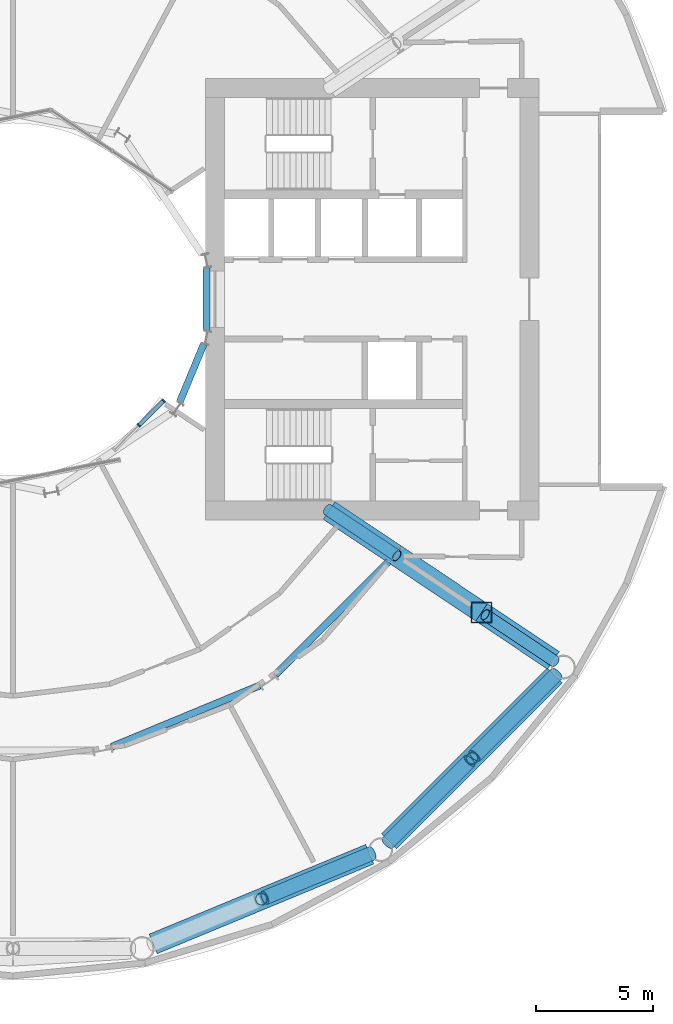
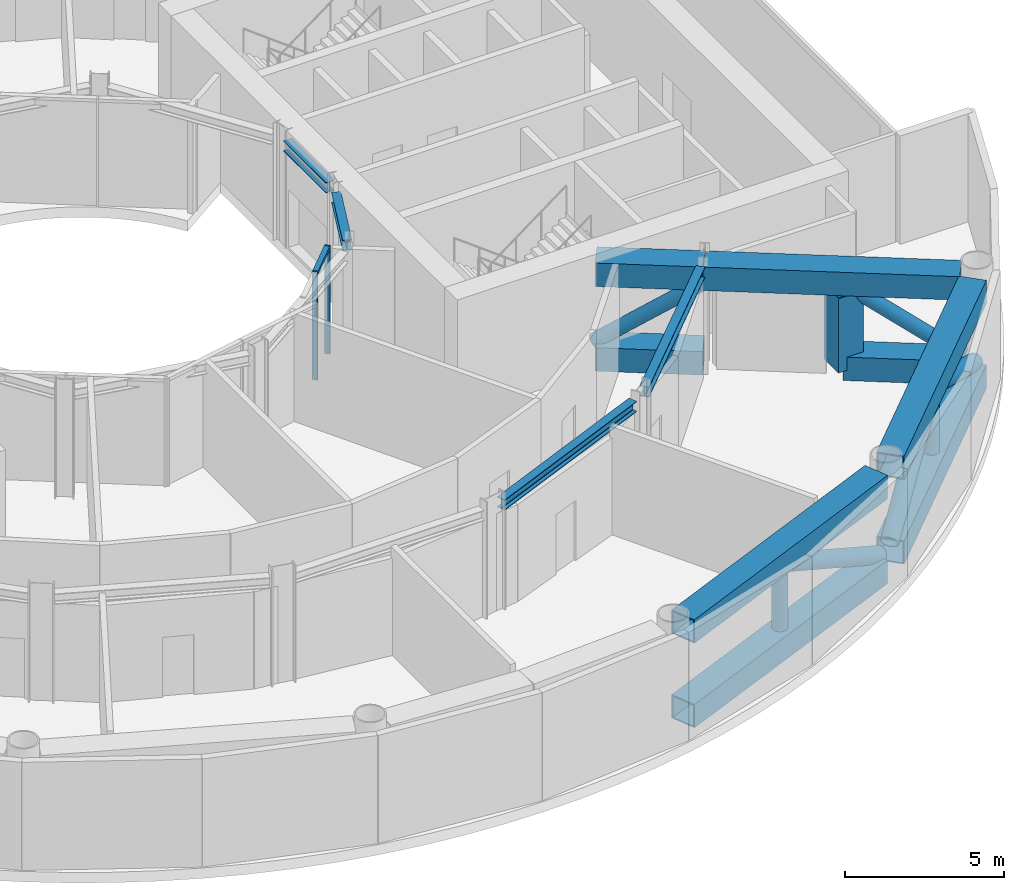
# One storey, part 5 of 15: 12 beams, 11 members, 1 element without a shape of its own.
"""IFC4 building model written with IfcOpenShell, lengths in metres."""

from ifc_helpers import new_model, si_unit, direction, frame, origin, origin_2d, place, context, subcontext, project, spatial, rectangle, hollow_rectangle, hollow_circle, i_section, extrude, material, layer, layer_set, material_profile, profile_set, type_object, element, aggregate, save


model = new_model("IFC4")

# Units and contexts
model_context = context("Model", 3, precision=1e-05, world=origin(), true_north=direction((0.0, 1.0)))
body_context = subcontext(model_context, "Body", "Model", "MODEL_VIEW")
ifc_project = project(units=[si_unit("LENGTHUNIT", "METRE"), si_unit("AREAUNIT", "SQUARE_METRE"), si_unit("VOLUMEUNIT", "CUBIC_METRE"), si_unit("PLANEANGLEUNIT", "RADIAN"), si_unit("MASSUNIT", "GRAM", prefix="KILO")], contexts=[model_context])

# Site, building, storey
site_placement = place(None, origin())
site = spatial("IfcSite", under=ifc_project, at=site_placement, CompositionType="ELEMENT")
building_placement = place(site_placement, origin())
building = spatial("IfcBuilding", under=site, at=building_placement, Name="Maasbend Ring Residences", CompositionType="ELEMENT")
storey_placement = place(building_placement, frame((0.0, 0.0, 18.300048828125)))
storey = spatial("IfcBuildingStorey", under=building, at=storey_placement, Name="L04", CompositionType="ELEMENT", Elevation=18.300048828125)

# Beams
ifc_material_1 = material(Name="Steel S460M", Category="steel")
ifc_material_profile_1 = material_profile(ifc_material_1, hollow_rectangle(XDim=0.89990234375, YDim=0.89990234375, WallThickness=0.044921875, at=origin_2d()), Name="Belt truss chord BX 900x900x45")
ifc_profile_set_1 = profile_set([ifc_material_profile_1], Name="Steel S460M")
beam_type_1 = type_object("IfcBeamType", Name="Belt truss chord BX 900x900x45", PredefinedType="BEAM", material=ifc_profile_set_1)
for number, where, z_axis, x_axis, name in (
    (1, (5.970703125, -27.463623046875, 0.449951171875), (0.923886337442, 0.382667003395, 0.0), (-0.382667003395, 0.923886337442, 0.0), "Belt truss"),
    (2, (5.970703125, -27.463623046875, 3.699951171875), (0.923886337442, 0.382667003395, 0.0), (-0.382667003395, 0.923886337442, 0.0), "Belt truss"),
):
    element("IfcBeam", number, at=place(storey_placement, frame(where, z_axis=z_axis, x_axis=x_axis)), inside=storey, type_object=beam_type_1, Name=name, PredefinedType="BEAM", context=body_context, shape_type="SweptSolid", body=[
        extrude(hollow_rectangle(XDim=0.89990234375, YDim=0.89990234375, WallThickness=0.044921875, at=origin_2d()), origin(), (0.0, 0.0, 1.0), 9.9873046875),
    ])
for number, where, z_axis, x_axis, name in (
    (3, (16.0263671875, -23.088134765625, 0.449951171875), (0.707106781187, 0.707106781187, 0.0), (-0.707106781187, 0.707106781187, 0.0), "Belt truss"),
    (4, (16.0263671875, -23.088134765625, 3.699951171875), (0.707106781187, 0.707106781187, 0.0), (-0.707106781187, 0.707106781187, 0.0), "Belt truss"),
):
    element("IfcBeam", number, at=place(storey_placement, frame(where, z_axis=z_axis, x_axis=x_axis)), inside=storey, type_object=beam_type_1, Name=name, PredefinedType="BEAM", context=body_context, shape_type="SweptSolid", body=[
        extrude(hollow_rectangle(XDim=0.89990234375, YDim=0.89990234375, WallThickness=0.044921875, at=origin_2d()), origin(), (0.0, 0.0, 1.0), 9.98681640625),
    ])

# Members
ifc_material_2 = material(Name="Steel S460NH", Category="steel")
ifc_material_profile_2 = material_profile(ifc_material_2, hollow_circle(Radius=0.304931640625, WallThickness=0.02490234375, at=origin_2d()), Name="Belt truss diagonal CHS 610x25")
ifc_profile_set_2 = profile_set([ifc_material_profile_2], Name="Steel S460NH")
member_type_1 = type_object("IfcMemberType", Name="Belt truss diagonal CHS 610x25", PredefinedType="BRACE", material=ifc_profile_set_2)
for number, where, z_axis, x_axis, name in (
    (5, (10.725830078125, -25.494140625, 3.300048828125), (0.827714428739, 0.342833747825, -0.444245254122), (-0.38266743189, 0.923886159963, 0.0), "Belt truss diagonal"),
    (6, (15.955078125, -23.159423828125, 0.849853515625), (0.633496351585, 0.633496351585, 0.444257521103), (-0.707106781187, 0.707106781187, 0.0), "Belt truss diagonal"),
    (7, (19.66552734375, -19.448974609375, 3.300048828125), (0.633496351585, 0.633496351585, -0.444257521103), (-0.707106781187, 0.707106781187, 0.0), "Belt truss diagonal"),
):
    element("IfcMember", number, at=place(storey_placement, frame(where, z_axis=z_axis, x_axis=x_axis)), inside=storey, type_object=member_type_1, Name=name, PredefinedType="BRACE", context=body_context, shape_type="SweptSolid", body=[
        extrude(hollow_circle(Radius=0.304931640625, WallThickness=0.02490234375, at=origin_2d()), origin(), (0.0, 0.0, 1.0), 5.515380859375),
    ])
ifc_material_3 = material(Name="Steel S460NH", Category="steel")
ifc_material_profile_3 = material_profile(ifc_material_3, hollow_circle(Radius=0.25390625, WallThickness=0.01611328125, at=origin_2d()), Name="Belt truss post CHS 508x16")
ifc_profile_set_3 = profile_set([ifc_material_profile_3], Name="Steel S460NH")
member_type_2 = type_object("IfcMemberType", Name="Belt truss post CHS 508x16", PredefinedType="POST", material=ifc_profile_set_3)
for number, where, z_axis, x_axis, name in (
    (8, (10.584228515625, -25.552734375, 0.89990234375), (0.0, 0.0, 1.0), (1.0, 0.0, 0.0), "Belt truss post"),
    (9, (19.55712890625, -19.55712890625, 0.89990234375), (0.0, 0.0, 1.0), (1.0, 0.0, 0.0), "Belt truss post"),
):
    element("IfcMember", number, at=place(storey_placement, frame(where, z_axis=z_axis, x_axis=x_axis)), inside=storey, type_object=member_type_2, Name=name, PredefinedType="POST", context=body_context, shape_type="SweptSolid", body=[
        extrude(hollow_circle(Radius=0.25390625, WallThickness=0.01611328125, at=origin_2d()), origin(), (0.0, 0.0, 1.0), 2.35009765625),
    ])

# Curtain wall, members
ifc_material_4 = material(Name="Aluminium and clear glass", Category="aluminium")
ifc_layer = layer(ifc_material_4, 0.179931640625)
ifc_layer_set = layer_set([ifc_layer], Name="CW-W")
curtain_wall_type = type_object("IfcCurtainWallType", Name="CW-W", PredefinedType="NOTDEFINED", material=ifc_layer_set)
curtain_wall_placement = place(storey_placement, origin())
curtain_wall = element("IfcCurtainWall", 10, at=curtain_wall_placement, inside=storey, type_object=curtain_wall_type, Name="Well curtain wall S3", PredefinedType="NOTDEFINED")
ifc_material_5 = material(Name="Aluminium 6063-T6", Category="aluminium")
ifc_material_profile_4 = material_profile(ifc_material_5, rectangle(XDim=0.179931640625, YDim=0.06005859375, at=origin_2d()), Name="AL 180x60")
ifc_profile_set_4 = profile_set([ifc_material_profile_4], Name="Aluminium 6063-T6")
member_type_3 = type_object("IfcMemberType", Name="CWM-W", PredefinedType="MULLION", material=ifc_profile_set_4)
member_1_placement = place(storey_placement, frame((5.366943359375, -5.366943359375, 0.0), z_axis=(0.0, 0.0, 1.0), x_axis=(-0.707106781187, 0.707106781187, 0.0)))
member_1 = element("IfcMember", 11, at=member_1_placement, type_object=member_type_3, Name="Mullion well face", PredefinedType="MULLION", context=body_context, shape_type="SweptSolid", body=[
    extrude(rectangle(XDim=0.179931640625, YDim=0.06005859375, at=origin_2d()), origin(), (0.0, 0.0, 1.0), 4.14990234375),
])
member_2_placement = place(storey_placement, frame((6.413330078125, -4.320556640625, 0.0), z_axis=(0.0, 0.0, 1.0), x_axis=(-0.707106781187, 0.707106781187, 0.0)))
member_2 = element("IfcMember", 12, at=member_2_placement, type_object=member_type_3, Name="Mullion well face", PredefinedType="MULLION", context=body_context, shape_type="SweptSolid", body=[
    extrude(rectangle(XDim=0.179931640625, YDim=0.06005859375, at=origin_2d()), origin(), (0.0, 0.0, 1.0), 4.14990234375),
])
ifc_material_6 = material(Name="Aluminium 6063-T6", Category="aluminium")
ifc_material_profile_5 = material_profile(ifc_material_6, rectangle(XDim=0.179931640625, YDim=0.1201171875, at=origin_2d()), Name="AL 180x120")
ifc_profile_set_5 = profile_set([ifc_material_profile_5], Name="Aluminium 6063-T6")
member_type_4 = type_object("IfcMemberType", Name="CWT-W", PredefinedType="USERDEFINED", material=ifc_profile_set_5)
member_3_placement = place(storey_placement, frame((5.38818359375, -5.345703125, 4.08984375), z_axis=(0.707106781187, 0.707106781187, 0.0), x_axis=(-0.707106781187, 0.707106781187, 0.0)))
member_3 = element("IfcMember", 13, at=member_3_placement, type_object=member_type_4, Name="Transom well face", ObjectType="TRANSOM", PredefinedType="USERDEFINED", context=body_context, shape_type="SweptSolid", body=[
    extrude(rectangle(XDim=0.179931640625, YDim=0.1201171875, at=origin_2d()), origin(), (0.0, 0.0, 1.0), 1.419677734375),
])
aggregate(curtain_wall, [member_1, member_2, member_3])

# Beams
ifc_material_7 = material(Name="Steel S355J2", Category="steel")
ifc_material_profile_6 = material_profile(ifc_material_7, i_section(OverallWidth=0.300048828125, OverallDepth=0.39990234375, WebThickness=0.013427734375, FlangeThickness=0.02392578125, FilletRadius=0.027099609375, at=origin_2d()), Name="HEB 400")
ifc_profile_set_6 = profile_set([ifc_material_profile_6], Name="Steel S355J2")
beam_type_2 = type_object("IfcBeamType", Name="Corridor ring beam HEB 400", PredefinedType="BEAM", material=ifc_profile_set_6)
for number, where, z_axis, x_axis, name in (
    (14, (4.207275390625, -19.064697265625, 3.949951171875), (0.92387061516, 0.382704960046, 0.0), (-0.382704960046, 0.92387061516, 0.0), "Corridor ring beam"),
    (15, (11.1826171875, -16.00341796875, 3.949951171875), (0.707106781187, 0.707106781187, 0.0), (-0.707106781187, 0.707106781187, 0.0), "Corridor ring beam"),
):
    element("IfcBeam", number, at=place(storey_placement, frame(where, z_axis=z_axis, x_axis=x_axis)), inside=storey, type_object=beam_type_2, Name=name, PredefinedType="BEAM", context=body_context, shape_type="SweptSolid", body=[
        extrude(i_section(OverallWidth=0.300048828125, OverallDepth=0.39990234375, WebThickness=0.013427734375, FlangeThickness=0.02392578125, FilletRadius=0.027099609375, at=origin_2d()), origin(), (0.0, 0.0, 1.0), 6.817626953125),
    ])
ifc_material_8 = material(Name="Steel S460M", Category="steel")
ifc_material_profile_7 = material_profile(ifc_material_8, hollow_rectangle(XDim=0.89990234375, YDim=0.89990234375, WallThickness=0.044921875, at=origin_2d()), Name="Outrigger truss chord BX 900x900x45")
ifc_profile_set_7 = profile_set([ifc_material_profile_7], Name="Steel S460M")
beam_type_3 = type_object("IfcBeamType", Name="Outrigger truss chord BX 900x900x45", PredefinedType="BEAM", material=ifc_profile_set_7)
beam_1_placement = place(storey_placement, frame((23.02490234375, -15.385009765625, 0.449951171875), z_axis=(-0.83143805452, 0.555617459676, 0.0), x_axis=(-0.555617459676, -0.83143805452, 0.0)))
element("IfcBeam", 16, at=beam_1_placement, inside=storey, type_object=beam_type_3, Name="Outrigger truss", PredefinedType="BEAM", context=body_context, shape_type="SweptSolid", body=[
    extrude(hollow_rectangle(XDim=0.89990234375, YDim=0.89990234375, WallThickness=0.044921875, at=origin_2d()), origin(), (0.0, 0.0, 1.0), 3.68408203125),
])
beam_2_placement = place(storey_placement, frame((23.02490234375, -15.385009765625, 3.699951171875), z_axis=(-0.831450444505, 0.555598918585, 0.0), x_axis=(-0.555598918585, -0.831450444505, 0.0)))
element("IfcBeam", 17, at=beam_2_placement, inside=storey, type_object=beam_type_3, Name="Outrigger truss", PredefinedType="BEAM", context=body_context, shape_type="SweptSolid", body=[
    extrude(hollow_rectangle(XDim=0.89990234375, YDim=0.89990234375, WallThickness=0.044921875, at=origin_2d()), origin(), (0.0, 0.0, 1.0), 8.083984375),
])
for number, where, z_axis, x_axis, name in (
    (18, (16.2900390625, -10.884765625, 0.449951171875), (-0.831451918965, 0.555596712058, 0.0), (-0.555596712058, -0.831451918965, 0.0), "Outrigger truss"),
    (19, (16.2900390625, -10.884765625, 3.699951171875), (-0.831451918965, 0.555596712058, 0.0), (-0.555596712058, -0.831451918965, 0.0), "Outrigger truss"),
):
    element("IfcBeam", number, at=place(storey_placement, frame(where, z_axis=z_axis, x_axis=x_axis)), inside=storey, type_object=beam_type_3, Name=name, PredefinedType="BEAM", context=body_context, shape_type="SweptSolid", body=[
        extrude(hollow_rectangle(XDim=0.89990234375, YDim=0.89990234375, WallThickness=0.044921875, at=origin_2d()), origin(), (0.0, 0.0, 1.0), 3.392333984375),
    ])

# Members
ifc_material_9 = material(Name="Steel S460NH", Category="steel")
ifc_material_profile_8 = material_profile(ifc_material_9, hollow_circle(Radius=0.25390625, WallThickness=0.02490234375, at=origin_2d()), Name="Outrigger truss diagonal CHS 508x25")
ifc_profile_set_8 = profile_set([ifc_material_profile_8], Name="Steel S460NH")
member_type_5 = type_object("IfcMemberType", Name="Outrigger truss diagonal CHS 508x25", PredefinedType="BRACE", material=ifc_profile_set_8)
member_4_placement = place(storey_placement, frame((23.085693359375, -15.42529296875, 0.849853515625), z_axis=(-0.685925773772, 0.458278842366, 0.565231223054), x_axis=(-0.555534944502, -0.831493190253, 0.0)))
element("IfcMember", 20, at=member_4_placement, inside=storey, type_object=member_type_5, Name="Outrigger truss diagonal", PredefinedType="BRACE", context=body_context, shape_type="SweptSolid", body=[
    extrude(hollow_circle(Radius=0.25390625, WallThickness=0.02490234375, at=origin_2d()), origin(), (0.0, 0.0, 1.0), 4.3349609375),
])
member_5_placement = place(storey_placement, frame((16.35009765625, -10.9248046875, 3.300048828125), z_axis=(-0.683477966691, 0.456673364544, -0.56947985668), x_axis=(-0.555560130129, -0.831476362749, 0.0)))
element("IfcMember", 21, at=member_5_placement, inside=storey, type_object=member_type_5, Name="Outrigger truss diagonal", PredefinedType="BRACE", context=body_context, shape_type="SweptSolid", body=[
    extrude(hollow_circle(Radius=0.25390625, WallThickness=0.02490234375, at=origin_2d()), origin(), (0.0, 0.0, 1.0), 4.302490234375),
])
ifc_material_10 = material(Name="Steel S460M", Category="steel")
ifc_material_profile_9 = material_profile(ifc_material_10, hollow_rectangle(XDim=0.89990234375, YDim=0.89990234375, WallThickness=0.044921875, at=origin_2d()), Name="Outrigger truss post BX 900x900x45")
ifc_profile_set_9 = profile_set([ifc_material_profile_9], Name="Steel S460M")
member_type_6 = type_object("IfcMemberType", Name="Outrigger truss post BX 900x900x45", PredefinedType="POST", material=ifc_profile_set_9)
member_6_placement = place(storey_placement, frame((19.9619140625, -13.338134765625, 0.39990234375), z_axis=(0.0, 0.0, 1.0), x_axis=(1.0, 0.0, 0.0)))
element("IfcMember", 22, at=member_6_placement, inside=storey, type_object=member_type_6, Name="Outrigger truss post", PredefinedType="POST", context=body_context, shape_type="SweptSolid", body=[
    extrude(hollow_rectangle(XDim=0.89990234375, YDim=0.89990234375, WallThickness=0.044921875, at=origin_2d()), origin(), (0.0, 0.0, 1.0), 2.85009765625),
])

# Beams
ifc_material_11 = material(Name="Steel S355J2", Category="steel")
ifc_material_profile_10 = material_profile(ifc_material_11, i_section(OverallWidth=0.300048828125, OverallDepth=0.39990234375, WebThickness=0.013427734375, FlangeThickness=0.02392578125, FilletRadius=0.027099609375, at=origin_2d()), Name="HEB 400")
ifc_profile_set_10 = profile_set([ifc_material_profile_10], Name="Steel S355J2")
beam_type_4 = type_object("IfcBeamType", Name="Well edge beam HEB 400", PredefinedType="BEAM", material=ifc_profile_set_10)
beam_3_placement = place(storey_placement, frame((7.101318359375, -4.38427734375, 3.949951171875), z_axis=(0.382715761492, 0.923866140686, 0.0), x_axis=(-0.923866140686, 0.382715761492, 0.0)))
element("IfcBeam", 23, at=beam_3_placement, inside=storey, type_object=beam_type_4, Name="Well edge beam", PredefinedType="BEAM", context=body_context, shape_type="SweptSolid", body=[
    extrude(i_section(OverallWidth=0.300048828125, OverallDepth=0.39990234375, WebThickness=0.013427734375, FlangeThickness=0.02392578125, FilletRadius=0.027099609375, at=origin_2d()), origin(), (0.0, 0.0, 1.0), 2.665771484375),
])
beam_4_placement = place(storey_placement, frame((8.238525390625, -1.3330078125, 3.949951171875), z_axis=(0.0, 1.0, 0.0), x_axis=(-1.0, 0.0, 0.0)))
element("IfcBeam", 24, at=beam_4_placement, inside=storey, type_object=beam_type_4, Name="Well edge beam", PredefinedType="BEAM", context=body_context, shape_type="SweptSolid", body=[
    extrude(i_section(OverallWidth=0.300048828125, OverallDepth=0.39990234375, WebThickness=0.013427734375, FlangeThickness=0.02392578125, FilletRadius=0.027099609375, at=origin_2d()), origin(), (0.0, 0.0, 1.0), 2.666015625),
])

save(model, "model.ifc")
